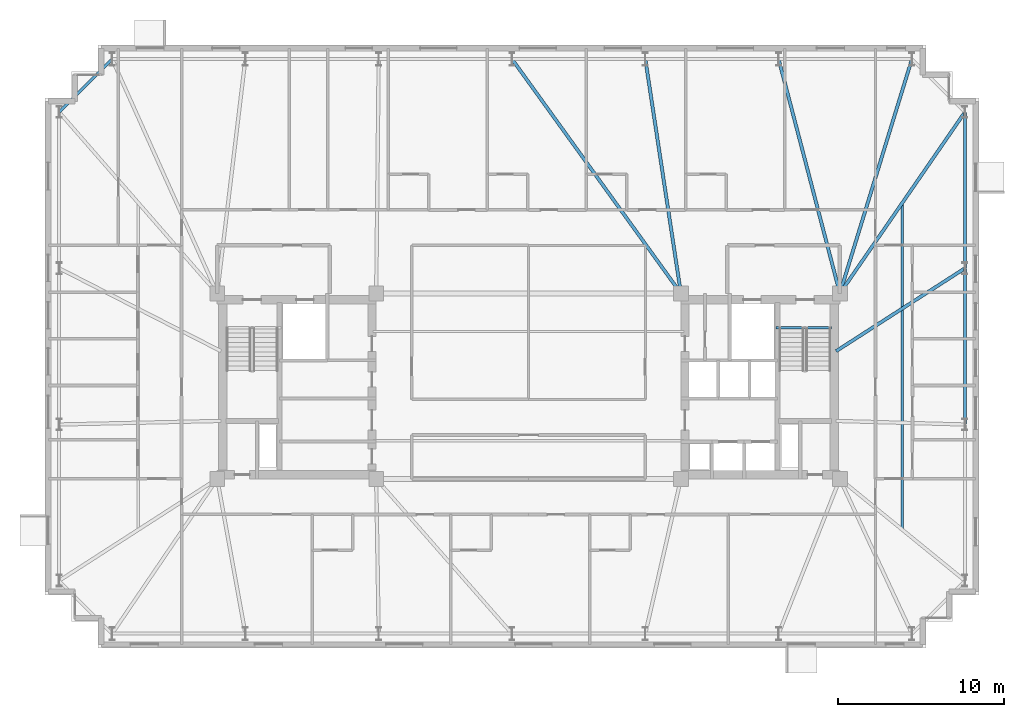
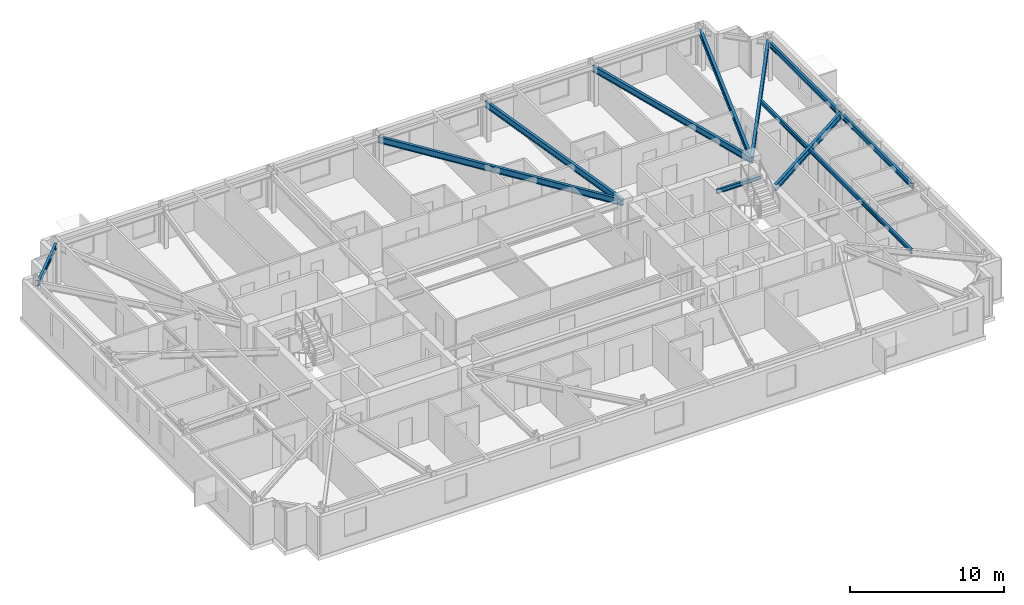
# One storey, part 6 of 18: 11 beams.
"""IFC4 building model written with IfcOpenShell, lengths in metres."""

from ifc_helpers import new_model, si_unit, direction, frame, origin, origin_2d, place, context, subcontext, project, spatial, i_section, extrude, material, material_profile, profile_set, type_object, element, save


model = new_model("IFC4")

# Units and contexts
model_context = context("Model", 3, precision=1e-05, world=origin(), true_north=direction((0.0, 1.0)))
body_context = subcontext(model_context, "Body", "Model", "MODEL_VIEW")
ifc_project = project(units=[si_unit("LENGTHUNIT", "METRE"), si_unit("AREAUNIT", "SQUARE_METRE"), si_unit("VOLUMEUNIT", "CUBIC_METRE"), si_unit("PLANEANGLEUNIT", "RADIAN"), si_unit("MASSUNIT", "GRAM", prefix="KILO")], contexts=[model_context])

# Site, building, storey
site_placement = place(None, origin())
site = spatial("IfcSite", under=ifc_project, at=site_placement, CompositionType="ELEMENT")
building_placement = place(site_placement, origin())
building = spatial("IfcBuilding", under=site, at=building_placement, Name="Qobustan Lattice House", CompositionType="ELEMENT")
storey_placement = place(building_placement, frame((0.0, 0.0, 141.050048828125)))
storey = spatial("IfcBuildingStorey", under=building, at=storey_placement, Name="L39", CompositionType="ELEMENT", Elevation=141.050048828125)

# Beams
ifc_material_1 = material(Name="Steel S355", Category="steel")
ifc_material_profile_1 = material_profile(ifc_material_1, i_section(OverallWidth=0.199951171875, OverallDepth=0.5, WebThickness=0.01025390625, FlangeThickness=0.01611328125, FilletRadius=0.02099609375, at=origin_2d()), Name="IPE500")
ifc_profile_set_1 = profile_set([ifc_material_profile_1], Name="Steel S355")
beam_type_1 = type_object("IfcBeamType", Name="BM-FLG-IPE500", PredefinedType="USERDEFINED", material=ifc_profile_set_1)
beam_1_placement = place(storey_placement, frame((-0.9853515625, 19.729736328125, 2.7900390625), z_axis=(0.584755393146, -0.811209670916, 0.0), x_axis=(0.811209670916, 0.584755393146, 0.0)))
element("IfcBeam", 1, at=beam_1_placement, inside=storey, type_object=beam_type_1, Name="L39 primary floor girder RAD-N4", ObjectType="GIRDER", PredefinedType="USERDEFINED", context=body_context, shape_type="SweptSolid", body=[
    extrude(i_section(OverallWidth=0.199951171875, OverallDepth=0.5, WebThickness=0.01025390625, FlangeThickness=0.01611328125, FilletRadius=0.02099609375, at=origin_2d()), origin(), (0.0, 0.0, 1.0), 17.39306640625),
])
beam_2_placement = place(storey_placement, frame((7.0537109375, 19.725341796875, 2.7900390625), z_axis=(0.150225226731, -0.988651799803, 0.0), x_axis=(0.988651799803, 0.150225226731, 0.0)))
element("IfcBeam", 2, at=beam_2_placement, inside=storey, type_object=beam_type_1, Name="L39 primary floor girder RAD-N3", ObjectType="GIRDER", PredefinedType="USERDEFINED", context=body_context, shape_type="SweptSolid", body=[
    extrude(i_section(OverallWidth=0.199951171875, OverallDepth=0.5, WebThickness=0.01025390625, FlangeThickness=0.01611328125, FilletRadius=0.02099609375, at=origin_2d()), origin(), (0.0, 0.0, 1.0), 14.262451171875),
])
beam_3_placement = place(storey_placement, frame((15.106201171875, 19.725830078125, 2.7900390625), z_axis=(0.252989153576, -0.967469114842, 0.0), x_axis=(0.967469114842, 0.252989153576, 0.0)))
element("IfcBeam", 3, at=beam_3_placement, inside=storey, type_object=beam_type_1, Name="L39 primary floor girder RAD-N2", ObjectType="GIRDER", PredefinedType="USERDEFINED", context=body_context, shape_type="SweptSolid", body=[
    extrude(i_section(OverallWidth=0.199951171875, OverallDepth=0.5, WebThickness=0.01025390625, FlangeThickness=0.01611328125, FilletRadius=0.02099609375, at=origin_2d()), origin(), (0.0, 0.0, 1.0), 14.57568359375),
])
beam_4_placement = place(storey_placement, frame((23.142578125, 19.72607421875, 2.7900390625), z_axis=(-0.293840483469, -0.955854471285, 0.0), x_axis=(0.955854471285, -0.293840483469, 0.0)))
element("IfcBeam", 4, at=beam_4_placement, inside=storey, type_object=beam_type_1, Name="L39 primary floor girder RAD-N1E", ObjectType="GIRDER", PredefinedType="USERDEFINED", context=body_context, shape_type="SweptSolid", body=[
    extrude(i_section(OverallWidth=0.199951171875, OverallDepth=0.5, WebThickness=0.01025390625, FlangeThickness=0.01611328125, FilletRadius=0.02099609375, at=origin_2d()), origin(), (0.0, 0.0, 1.0), 14.753662109375),
])
beam_5_placement = place(storey_placement, frame((26.335693359375, 16.529296875, 2.7900390625), z_axis=(-0.567643395011, -0.82327454479, 0.0), x_axis=(0.82327454479, -0.567643395011, 0.0)))
element("IfcBeam", 5, at=beam_5_placement, inside=storey, type_object=beam_type_1, Name="L39 primary floor girder RAD-E4", ObjectType="GIRDER", PredefinedType="USERDEFINED", context=body_context, shape_type="SweptSolid", body=[
    extrude(i_section(OverallWidth=0.199951171875, OverallDepth=0.5, WebThickness=0.01025390625, FlangeThickness=0.01611328125, FilletRadius=0.02099609375, at=origin_2d()), origin(), (0.0, 0.0, 1.0), 13.25048828125),
])
beam_6_placement = place(storey_placement, frame((26.3291015625, 7.103271484375, 2.7900390625), z_axis=(-0.841058920931, -0.540943519715, 0.0), x_axis=(0.540943519715, -0.841058920931, 0.0)))
element("IfcBeam", 6, at=beam_6_placement, inside=storey, type_object=beam_type_1, Name="L39 primary floor girder RAD-E3", ObjectType="GIRDER", PredefinedType="USERDEFINED", context=body_context, shape_type="SweptSolid", body=[
    extrude(i_section(OverallWidth=0.199951171875, OverallDepth=0.5, WebThickness=0.01025390625, FlangeThickness=0.01611328125, FilletRadius=0.02099609375, at=origin_2d()), origin(), (0.0, 0.0, 1.0), 9.22412109375),
])
ifc_material_2 = material(Name="Steel S355", Category="steel")
ifc_material_profile_2 = material_profile(ifc_material_2, i_section(OverallWidth=0.159912109375, OverallDepth=0.330078125, WebThickness=0.007568359375, FlangeThickness=0.011474609375, FilletRadius=0.01806640625, at=origin_2d()), Name="IPE330")
ifc_profile_set_2 = profile_set([ifc_material_profile_2], Name="Steel S355")
beam_type_2 = type_object("IfcBeamType", Name="BM-SEC-IPE330", PredefinedType="BEAM", material=ifc_profile_set_2)
beam_7_placement = place(storey_placement, frame((22.574951171875, 11.074951171875, 2.875), z_axis=(0.0, -1.0, 0.0), x_axis=(1.0, 0.0, 0.0)))
element("IfcBeam", 7, at=beam_7_placement, inside=storey, type_object=beam_type_2, Name="L39 east wing secondary beam", PredefinedType="BEAM", context=body_context, shape_type="SweptSolid", body=[
    extrude(i_section(OverallWidth=0.159912109375, OverallDepth=0.330078125, WebThickness=0.007568359375, FlangeThickness=0.011474609375, FilletRadius=0.01806640625, at=origin_2d()), origin(), (0.0, 0.0, 1.0), 19.75),
])
ifc_material_3 = material(Name="Steel S355", Category="steel")
ifc_material_profile_3 = material_profile(ifc_material_3, i_section(OverallWidth=0.159912109375, OverallDepth=0.330078125, WebThickness=0.007568359375, FlangeThickness=0.011474609375, FilletRadius=0.01806640625, at=origin_2d()), Name="IPE330")
ifc_profile_set_3 = profile_set([ifc_material_profile_3], Name="Steel S355")
beam_type_3 = type_object("IfcBeamType", Name="BM-SPD-IPE330", PredefinedType="SPANDREL", material=ifc_profile_set_3)
beam_8_placement = place(storey_placement, frame((14.949951171875, 3.52001953125, 2.875), z_axis=(1.0, 0.0, 0.0), x_axis=(0.0, 1.0, 0.0)))
element("IfcBeam", 8, at=beam_8_placement, inside=storey, type_object=beam_type_3, Name="L39 east stair landing trimmer beam", PredefinedType="SPANDREL", context=body_context, shape_type="SweptSolid", body=[
    extrude(i_section(OverallWidth=0.159912109375, OverallDepth=0.330078125, WebThickness=0.007568359375, FlangeThickness=0.011474609375, FilletRadius=0.01806640625, at=origin_2d()), origin(), (0.0, 0.0, 1.0), 3.35009765625),
])
ifc_material_4 = material(Name="Steel S355", Category="steel")
ifc_material_profile_4 = material_profile(ifc_material_4, i_section(OverallWidth=0.179931640625, OverallDepth=0.39990234375, WebThickness=0.008544921875, FlangeThickness=0.013427734375, FilletRadius=0.02099609375, at=origin_2d()), Name="IPE400")
ifc_profile_set_4 = profile_set([ifc_material_profile_4], Name="Steel S355")
beam_type_4 = type_object("IfcBeamType", Name="BM-SPD-IPE400", PredefinedType="SPANDREL", material=ifc_profile_set_4)
beam_9_placement = place(storey_placement, frame((26.35009765625, -2.291748046875, 2.83984375), z_axis=(0.0, 1.0, 0.0), x_axis=(-1.0, 0.0, 0.0)))
element("IfcBeam", 9, at=beam_9_placement, inside=storey, type_object=beam_type_4, Name="L39 perimeter spandrel E2-E3", PredefinedType="SPANDREL", context=body_context, shape_type="SweptSolid", body=[
    extrude(i_section(OverallWidth=0.179931640625, OverallDepth=0.39990234375, WebThickness=0.008544921875, FlangeThickness=0.013427734375, FilletRadius=0.02099609375, at=origin_2d()), origin(), (0.0, 0.0, 1.0), 9.383544921875),
])
beam_10_placement = place(storey_placement, frame((26.35009765625, 7.1416015625, 2.83984375), z_axis=(0.0, 1.0, 0.0), x_axis=(-1.0, 0.0, 0.0)))
element("IfcBeam", 10, at=beam_10_placement, inside=storey, type_object=beam_type_4, Name="L39 perimeter spandrel E3-E4", PredefinedType="SPANDREL", context=body_context, shape_type="SweptSolid", body=[
    extrude(i_section(OverallWidth=0.179931640625, OverallDepth=0.39990234375, WebThickness=0.008544921875, FlangeThickness=0.013427734375, FilletRadius=0.02099609375, at=origin_2d()), origin(), (0.0, 0.0, 1.0), 9.38330078125),
])
beam_11_placement = place(storey_placement, frame((-25.167724609375, 19.732421875, 2.83984375), z_axis=(-0.707079505568, -0.707134055753, 0.0), x_axis=(0.707134055753, -0.707079505568, 0.0)))
element("IfcBeam", 11, at=beam_11_placement, inside=storey, type_object=beam_type_4, Name="L39 perimeter spandrel N7-W1", PredefinedType="SPANDREL", context=body_context, shape_type="SweptSolid", body=[
    extrude(i_section(OverallWidth=0.179931640625, OverallDepth=0.39990234375, WebThickness=0.008544921875, FlangeThickness=0.013427734375, FilletRadius=0.02099609375, at=origin_2d()), origin(), (0.0, 0.0, 1.0), 4.4755859375),
])

save(model, "model.ifc")
